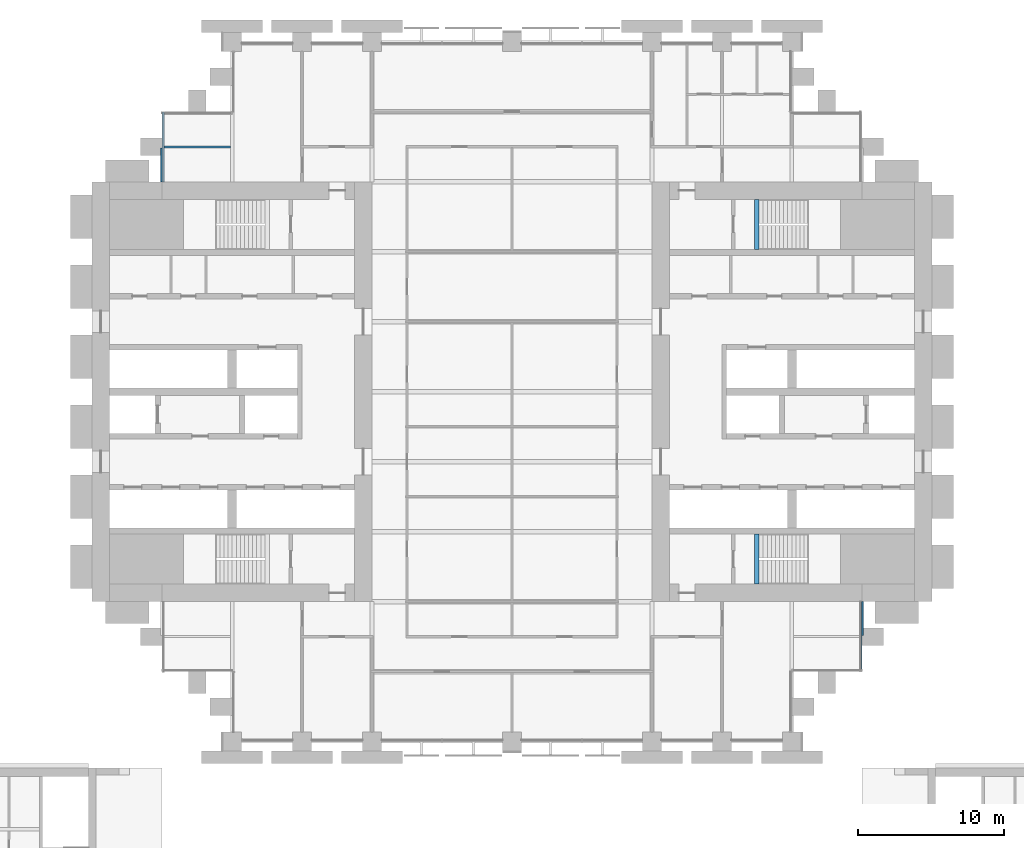
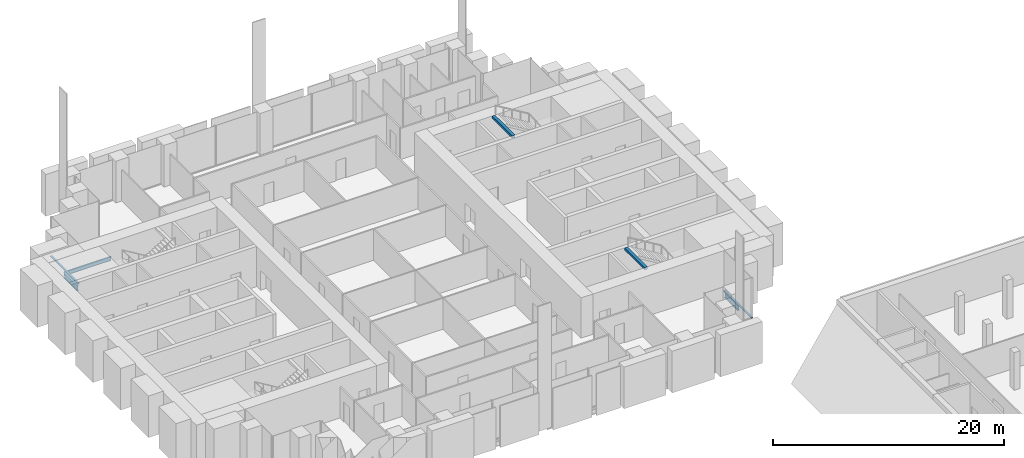
# One storey, part 11 of 22: 5 beams, 2 members, 2 elements without a shape of their own.
"""IFC4 building model written with IfcOpenShell, lengths in metres."""

from ifc_helpers import new_model, si_unit, direction, frame, origin, origin_2d, place, context, subcontext, project, spatial, rectangle, i_section, extrude, material, material_profile, profile_set, type_object, element, aggregate, save


model = new_model("IFC4")

# Units and contexts
model_context = context("Model", 3, precision=1e-05, world=origin(), true_north=direction((0.0, 1.0)))
body_context = subcontext(model_context, "Body", "Model", "MODEL_VIEW")
ifc_project = project(units=[si_unit("LENGTHUNIT", "METRE"), si_unit("AREAUNIT", "SQUARE_METRE"), si_unit("VOLUMEUNIT", "CUBIC_METRE"), si_unit("PLANEANGLEUNIT", "RADIAN"), si_unit("MASSUNIT", "GRAM", prefix="KILO")], contexts=[model_context])

# Site, building, storey
site_placement = place(None, origin())
site = spatial("IfcSite", under=ifc_project, at=site_placement, CompositionType="ELEMENT")
building_placement = place(site_placement, origin())
building = spatial("IfcBuilding", under=site, at=building_placement, Name="Baori Bourse Tower", CompositionType="ELEMENT")
storey_placement = place(building_placement, frame((0.0, 0.0, 25.800048828125)))
storey = spatial("IfcBuildingStorey", under=building, at=storey_placement, Name="L04", CompositionType="ELEMENT", Elevation=25.800048828125)

# Curtain wall, member
ifc_material_1 = material(Name="Pale anodised aluminium", Category="aluminium")
curtain_wall_type = type_object("IfcCurtainWallType", Name="CW2 Curtain wall", PredefinedType="NOTDEFINED", material=ifc_material_1)
curtain_wall_1_placement = place(storey_placement, origin())
curtain_wall_1 = element("IfcCurtainWall", 1, at=curtain_wall_1_placement, inside=storey, type_object=curtain_wall_type, Name="Curtain wall CW2 L04 7", PredefinedType="NOTDEFINED")
ifc_material_2 = material(Name="Pale anodised aluminium", Category="aluminium")
ifc_material_profile_1 = material_profile(ifc_material_2, rectangle(XDim=0.179931640625, YDim=0.070068359375, at=origin_2d()), Name="Transom 70x180")
ifc_profile_set_1 = profile_set([ifc_material_profile_1], Name="Pale anodised aluminium")
member_type = type_object("IfcMemberType", Name="CW2 Curtain wall transom", PredefinedType="USERDEFINED", material=ifc_profile_set_1)
member_1_placement = place(storey_placement, frame((4.889892578125, 43.199951171875, 0.034912109375), z_axis=(0.0, -1.0, 0.0), x_axis=(1.0, 0.0, 0.0)))
member_1 = element("IfcMember", 2, at=member_1_placement, type_object=member_type, Name="Curtain wall CW2 sill rail", ObjectType="TRANSOM", PredefinedType="USERDEFINED", context=body_context, shape_type="SweptSolid", body=[
    extrude(rectangle(XDim=0.179931640625, YDim=0.070068359375, at=origin_2d()), origin(), (0.0, 0.0, 1.0), 4.800048828125),
])
aggregate(curtain_wall_1, [member_1])

curtain_wall_2_placement = place(storey_placement, origin())
curtain_wall_2 = element("IfcCurtainWall", 3, at=curtain_wall_2_placement, inside=storey, type_object=curtain_wall_type, Name="Curtain wall CW2 L04 14", PredefinedType="NOTDEFINED")
member_2_placement = place(storey_placement, frame((52.7099609375, 4.800048828125, 0.034912109375), z_axis=(0.0, 1.0, 0.0), x_axis=(-1.0, 0.0, 0.0)))
member_2 = element("IfcMember", 4, at=member_2_placement, type_object=member_type, Name="Curtain wall CW2 sill rail", ObjectType="TRANSOM", PredefinedType="USERDEFINED", context=body_context, shape_type="SweptSolid", body=[
    extrude(rectangle(XDim=0.179931640625, YDim=0.070068359375, at=origin_2d()), origin(), (0.0, 0.0, 1.0), 4.800048828125),
])
aggregate(curtain_wall_2, [member_2])

# Beams
ifc_material_3 = material(Name="Steel A992 Gr 50", Category="steel")
ifc_material_profile_2 = material_profile(ifc_material_3, i_section(OverallWidth=0.21240234375, OverallDepth=0.54345703125, WebThickness=0.01318359375, FlangeThickness=0.021240234375, at=origin_2d()), Name="W21x83")
ifc_profile_set_2 = profile_set([ifc_material_profile_2], Name="Steel A992 Gr 50")
beam_type_1 = type_object("IfcBeamType", Name="Core bracket W21x83", PredefinedType="BEAM", material=ifc_profile_set_2)
for number, where, z_axis, x_axis, name in (
    (5, (4.800048828125, 38.39990234375, -0.431884765625), (0.0, 1.0, 0.0), (-1.0, 0.0, 0.0), "Core bracket L04"),
    (6, (52.800048828125, 7.270263671875, -0.431884765625), (0.0, 1.0, 0.0), (-1.0, 0.0, 0.0), "Core bracket L04"),
):
    element("IfcBeam", number, at=place(storey_placement, frame(where, z_axis=z_axis, x_axis=x_axis)), inside=storey, type_object=beam_type_1, Name=name, PredefinedType="BEAM", context=body_context, shape_type="SweptSolid", body=[
        extrude(i_section(OverallWidth=0.21240234375, OverallDepth=0.54345703125, WebThickness=0.01318359375, FlangeThickness=0.021240234375, at=origin_2d()), origin(), (0.0, 0.0, 1.0), 2.329833984375),
    ])
ifc_material_4 = material(Name="Concrete f'c 50 MPa", Category="concrete")
ifc_material_profile_3 = material_profile(ifc_material_4, rectangle(XDim=0.300048828125, YDim=0.25, at=origin_2d()), Name="RC 300x250")
ifc_profile_set_3 = profile_set([ifc_material_profile_3], Name="Concrete f'c 50 MPa")
beam_type_2 = type_object("IfcBeamType", Name="Stair nib beam RC 300x250", PredefinedType="BEAM", material=ifc_profile_set_3)
for number, where, z_axis, x_axis, name in (
    (7, (45.60009765625, 10.800048828125, 4.114990234375), (0.0, 1.0, 0.0), (-1.0, 0.0, 0.0), "Stair EA nib beam L05"),
    (8, (45.60009765625, 33.75, 4.114990234375), (0.0, 1.0, 0.0), (-1.0, 0.0, 0.0), "Stair EB nib beam L05"),
):
    element("IfcBeam", number, at=place(storey_placement, frame(where, z_axis=z_axis, x_axis=x_axis)), inside=storey, type_object=beam_type_2, Name=name, PredefinedType="BEAM", context=body_context, shape_type="SweptSolid", body=[
        extrude(rectangle(XDim=0.300048828125, YDim=0.25, at=origin_2d()), origin(), (0.0, 0.0, 1.0), 3.449951171875),
    ])
ifc_material_5 = material(Name="Steel A992 Gr 50", Category="steel")
ifc_material_profile_4 = material_profile(ifc_material_5, i_section(OverallWidth=0.140380859375, OverallDepth=0.40380859375, WebThickness=0.007080078125, FlangeThickness=0.01123046875, at=origin_2d()), Name="W16x31")
ifc_profile_set_4 = profile_set([ifc_material_profile_4], Name="Steel A992 Gr 50")
beam_type_3 = type_object("IfcBeamType", Name="Trimmer beam W16x31", PredefinedType="BEAM", material=ifc_profile_set_4)
beam_placement = place(storey_placement, frame((4.800048828125, 40.800048828125, -0.362060546875), z_axis=(1.0, 0.0, 0.0), x_axis=(0.0, 1.0, 0.0)))
element("IfcBeam", 9, at=beam_placement, inside=storey, type_object=beam_type_3, Name="Trimmer beam L04", PredefinedType="BEAM", context=body_context, shape_type="SweptSolid", body=[
    extrude(i_section(OverallWidth=0.140380859375, OverallDepth=0.40380859375, WebThickness=0.007080078125, FlangeThickness=0.01123046875, at=origin_2d()), origin(), (0.0, 0.0, 1.0), 4.68603515625),
])

save(model, "model.ifc")
